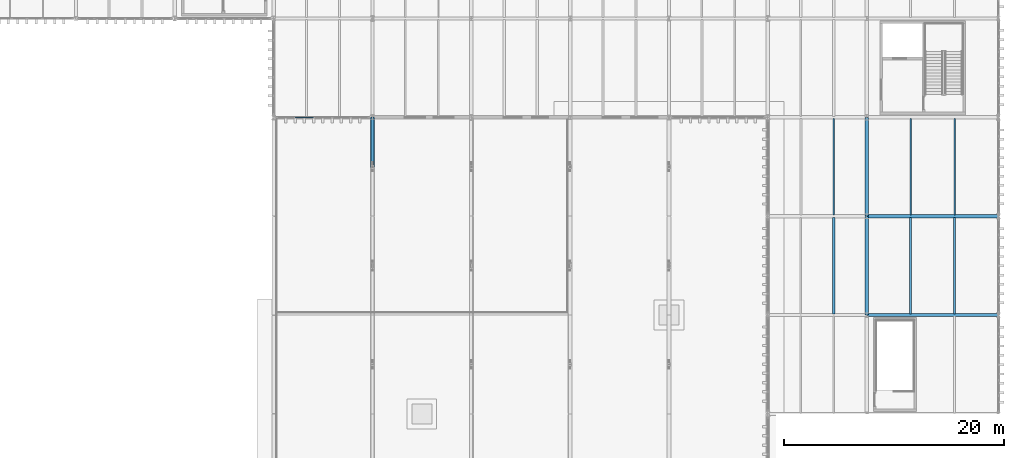
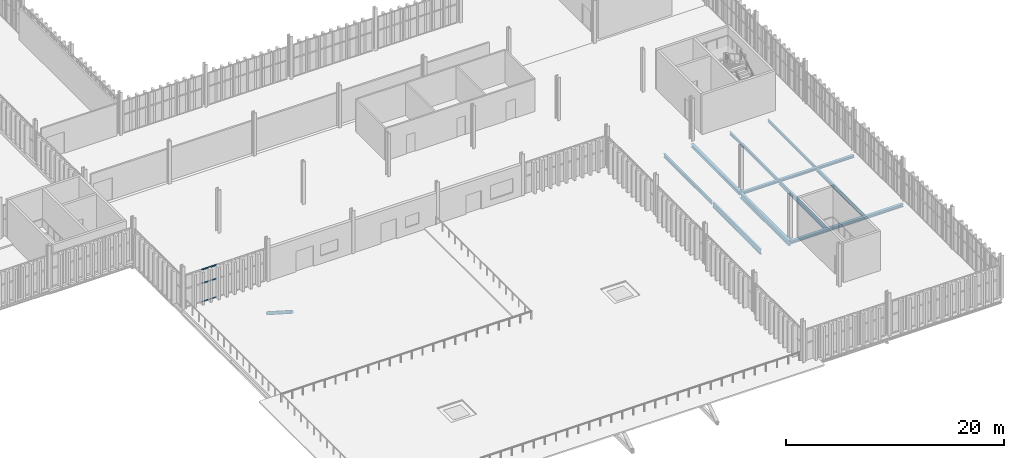
# One storey, part 112 of 196: 10 beams, 4 members, 1 element without a shape of its own.
"""IFC4 building model written with IfcOpenShell, lengths in metres."""

from ifc_helpers import new_model, si_unit, direction, frame, origin, origin_2d, place, context, subcontext, project, spatial, hollow_rectangle, hollow_circle, i_section, extrude, material, layer, layer_set, material_profile, profile_set, type_object, element, aggregate, save


model = new_model("IFC4")

# Units and contexts
model_context = context("Model", 3, precision=1e-05, world=origin(), true_north=direction((0.0, 1.0)))
body_context = subcontext(model_context, "Body", "Model", "MODEL_VIEW")
ifc_project = project(units=[si_unit("LENGTHUNIT", "METRE"), si_unit("AREAUNIT", "SQUARE_METRE"), si_unit("VOLUMEUNIT", "CUBIC_METRE"), si_unit("PLANEANGLEUNIT", "RADIAN"), si_unit("MASSUNIT", "GRAM", prefix="KILO")], contexts=[model_context])

# Site, building, storey
site_placement = place(None, origin())
site = spatial("IfcSite", under=ifc_project, at=site_placement, CompositionType="ELEMENT")
building_placement = place(site_placement, origin())
building = spatial("IfcBuilding", under=site, at=building_placement, Name="Barlavento Convention Centre", CompositionType="ELEMENT")
storey_placement = place(building_placement, frame((0.0, 0.0, 18.0)))
storey = spatial("IfcBuildingStorey", under=building, at=storey_placement, Name="L03", CompositionType="ELEMENT", Elevation=18.0)

# Curtain wall, members
ifc_material_1 = material(Name="Powder-coated aluminium and Low-E glass", Category="aluminium")
ifc_layer = layer(ifc_material_1, 0.179931640625)
ifc_layer_set = layer_set([ifc_layer], Name="ARC-CW-CONF-L03")
curtain_wall_type = type_object("IfcCurtainWallType", Name="ARC-CW-CONF-L03", PredefinedType="NOTDEFINED", material=ifc_layer_set)
curtain_wall_placement = place(storey_placement, origin())
curtain_wall = element("IfcCurtainWall", 1, at=curtain_wall_placement, inside=storey, type_object=curtain_wall_type, Name="L03 unitised curtain wall CW08", PredefinedType="NOTDEFINED")
ifc_material_2 = material(Name="Powder-coated aluminium", Category="aluminium")
ifc_material_profile_1 = material_profile(ifc_material_2, hollow_rectangle(XDim=0.06005859375, YDim=0.139892578125, WallThickness=0.00390625, at=origin_2d()), Name="AL-TRAN 60x140x4")
ifc_profile_set_1 = profile_set([ifc_material_profile_1], Name="Powder-coated aluminium")
member_type_1 = type_object("IfcMemberType", Name="ARC-CWT-60X140", PredefinedType="USERDEFINED", material=ifc_profile_set_1)
member_1_placement = place(storey_placement, frame((127.987060546875, 36.0, 0.030029296875), z_axis=(1.0, 0.0, 0.0), x_axis=(0.0, 1.0, 0.0)))
member_1 = element("IfcMember", 2, at=member_1_placement, type_object=member_type_1, Name="CW08 transom 2.1", ObjectType="TRANSOM", PredefinedType="USERDEFINED", context=body_context, shape_type="SweptSolid", body=[
    extrude(hollow_rectangle(XDim=0.06005859375, YDim=0.139892578125, WallThickness=0.00390625, at=origin_2d()), origin(), (0.0, 0.0, 1.0), 1.626953125),
])
member_2_placement = place(storey_placement, frame((127.987060546875, 36.0, 2.10009765625), z_axis=(1.0, 0.0, 0.0), x_axis=(0.0, 1.0, 0.0)))
member_2 = element("IfcMember", 3, at=member_2_placement, type_object=member_type_1, Name="CW08 transom 2.2", ObjectType="TRANSOM", PredefinedType="USERDEFINED", context=body_context, shape_type="SweptSolid", body=[
    extrude(hollow_rectangle(XDim=0.06005859375, YDim=0.139892578125, WallThickness=0.00390625, at=origin_2d()), origin(), (0.0, 0.0, 1.0), 1.626953125),
])
member_3_placement = place(storey_placement, frame((127.987060546875, 36.0, 3.6201171875), z_axis=(1.0, 0.0, 0.0), x_axis=(0.0, 1.0, 0.0)))
member_3 = element("IfcMember", 4, at=member_3_placement, type_object=member_type_1, Name="CW08 transom 2.3", ObjectType="TRANSOM", PredefinedType="USERDEFINED", context=body_context, shape_type="SweptSolid", body=[
    extrude(hollow_rectangle(XDim=0.06005859375, YDim=0.139892578125, WallThickness=0.00390625, at=origin_2d()), origin(), (0.0, 0.0, 1.0), 1.626953125),
])
aggregate(curtain_wall, [member_1, member_2, member_3])

# Beams
ifc_material_3 = material(Name="Steel S355", Category="steel")
ifc_material_profile_2 = material_profile(ifc_material_3, i_section(OverallWidth=0.14990234375, OverallDepth=0.300048828125, WebThickness=0.007080078125, FlangeThickness=0.0107421875, FilletRadius=0.014892578125, at=origin_2d()), Name="IPE 300")
ifc_profile_set_2 = profile_set([ifc_material_profile_2], Name="Steel S355")
beam_type_1 = type_object("IfcBeamType", Name="STR-BM-JST-IPE300", PredefinedType="JOIST", material=ifc_profile_set_2)
beam_1_placement = place(storey_placement, frame((188.0, 27.094970703125, -0.5400390625), z_axis=(0.0, 1.0, 0.0), x_axis=(-1.0, 0.0, 0.0)))
element("IfcBeam", 5, at=beam_1_placement, inside=storey, type_object=beam_type_1, Name="L03 composite floor joist SJ07", PredefinedType="JOIST", context=body_context, shape_type="SweptSolid", body=[
    extrude(i_section(OverallWidth=0.14990234375, OverallDepth=0.300048828125, WebThickness=0.007080078125, FlangeThickness=0.0107421875, FilletRadius=0.014892578125, at=origin_2d()), origin(), (0.0, 0.0, 1.0), 8.81005859375),
])
ifc_material_profile_3 = material_profile(ifc_material_3, i_section(OverallWidth=0.159912109375, OverallDepth=0.330078125, WebThickness=0.007568359375, FlangeThickness=0.011474609375, FilletRadius=0.01806640625, at=origin_2d()), Name="IPE 330")
ifc_profile_set_3 = profile_set([ifc_material_profile_3], Name="Steel S355")
beam_type_2 = type_object("IfcBeamType", Name="STR-BM-JST-IPE330", PredefinedType="JOIST", material=ifc_profile_set_3)
beam_2_placement = place(storey_placement, frame((184.0, 27.094970703125, -0.554931640625), z_axis=(0.0, 1.0, 0.0), x_axis=(-1.0, 0.0, 0.0)))
element("IfcBeam", 6, at=beam_2_placement, inside=storey, type_object=beam_type_2, Name="L03 composite floor joist SJ06", PredefinedType="JOIST", context=body_context, shape_type="SweptSolid", body=[
    extrude(i_section(OverallWidth=0.159912109375, OverallDepth=0.330078125, WebThickness=0.007568359375, FlangeThickness=0.011474609375, FilletRadius=0.01806640625, at=origin_2d()), origin(), (0.0, 0.0, 1.0), 8.81005859375),
])
ifc_material_profile_4 = material_profile(ifc_material_3, i_section(OverallWidth=0.179931640625, OverallDepth=0.39990234375, WebThickness=0.008544921875, FlangeThickness=0.013427734375, FilletRadius=0.02099609375, at=origin_2d()), Name="IPE 400")
ifc_profile_set_4 = profile_set([ifc_material_profile_4], Name="Steel S355")
beam_type_3 = type_object("IfcBeamType", Name="STR-BM-JST-IPE400", PredefinedType="JOIST", material=ifc_profile_set_4)
for number, where, z_axis, x_axis, name in (
    (7, (188.0, 18.094970703125, -0.590087890625), (0.0, 1.0, 0.0), (-1.0, 0.0, 0.0), "L03 composite floor joist SJ04"),
    (8, (177.0, 27.094970703125, -0.590087890625), (0.0, 1.0, 0.0), (-1.0, 0.0, 0.0), "L03 composite floor joist SJ04"),
):
    element("IfcBeam", number, at=place(storey_placement, frame(where, z_axis=z_axis, x_axis=x_axis)), inside=storey, type_object=beam_type_3, Name=name, PredefinedType="JOIST", context=body_context, shape_type="SweptSolid", body=[
        extrude(i_section(OverallWidth=0.179931640625, OverallDepth=0.39990234375, WebThickness=0.008544921875, FlangeThickness=0.013427734375, FilletRadius=0.02099609375, at=origin_2d()), origin(), (0.0, 0.0, 1.0), 8.81005859375),
    ])
ifc_material_profile_5 = material_profile(ifc_material_3, i_section(OverallWidth=0.18994140625, OverallDepth=0.449951171875, WebThickness=0.009521484375, FlangeThickness=0.0146484375, FilletRadius=0.02099609375, at=origin_2d()), Name="IPE 450")
ifc_profile_set_5 = profile_set([ifc_material_profile_5], Name="Steel S355")
beam_type_4 = type_object("IfcBeamType", Name="STR-BM-JST-IPE450", PredefinedType="JOIST", material=ifc_profile_set_5)
beam_3_placement = place(storey_placement, frame((184.0, 18.094970703125, -0.614990234375), z_axis=(0.0, 1.0, 0.0), x_axis=(-1.0, 0.0, 0.0)))
element("IfcBeam", 9, at=beam_3_placement, inside=storey, type_object=beam_type_4, Name="L03 composite floor joist SJ03", PredefinedType="JOIST", context=body_context, shape_type="SweptSolid", body=[
    extrude(i_section(OverallWidth=0.18994140625, OverallDepth=0.449951171875, WebThickness=0.009521484375, FlangeThickness=0.0146484375, FilletRadius=0.02099609375, at=origin_2d()), origin(), (0.0, 0.0, 1.0), 8.81005859375),
])
ifc_material_profile_6 = material_profile(ifc_material_3, i_section(OverallWidth=0.2099609375, OverallDepth=0.550048828125, WebThickness=0.010986328125, FlangeThickness=0.01708984375, FilletRadius=0.02392578125, at=origin_2d()), Name="IPE 550")
ifc_profile_set_6 = profile_set([ifc_material_profile_6], Name="Steel S355")
beam_type_5 = type_object("IfcBeamType", Name="STR-BM-JST-IPE550", PredefinedType="JOIST", material=ifc_profile_set_6)
beam_4_placement = place(storey_placement, frame((177.0, 18.094970703125, -0.6650390625), z_axis=(0.0, 1.0, 0.0), x_axis=(-1.0, 0.0, 0.0)))
element("IfcBeam", 10, at=beam_4_placement, inside=storey, type_object=beam_type_5, Name="L03 composite floor joist SJ01", PredefinedType="JOIST", context=body_context, shape_type="SweptSolid", body=[
    extrude(i_section(OverallWidth=0.2099609375, OverallDepth=0.550048828125, WebThickness=0.010986328125, FlangeThickness=0.01708984375, FilletRadius=0.02392578125, at=origin_2d()), origin(), (0.0, 0.0, 1.0), 8.81005859375),
])
ifc_material_profile_7 = material_profile(ifc_material_3, i_section(OverallWidth=0.300048828125, OverallDepth=0.35009765625, WebThickness=0.010009765625, FlangeThickness=0.017578125, FilletRadius=0.027099609375, at=origin_2d()), Name="HEA 360")
ifc_profile_set_7 = profile_set([ifc_material_profile_7], Name="Steel S355")
beam_type_6 = type_object("IfcBeamType", Name="STR-BM-PRI-HEA360", PredefinedType="BEAM", material=ifc_profile_set_7)
beam_5_placement = place(storey_placement, frame((180.0, 27.02001953125, -0.56494140625), z_axis=(0.0, 1.0, 0.0), x_axis=(-1.0, 0.0, 0.0)))
element("IfcBeam", 11, at=beam_5_placement, inside=storey, type_object=beam_type_6, Name="L03 grid girder BG23", PredefinedType="BEAM", context=body_context, shape_type="SweptSolid", body=[
    extrude(i_section(OverallWidth=0.300048828125, OverallDepth=0.35009765625, WebThickness=0.010009765625, FlangeThickness=0.017578125, FilletRadius=0.027099609375, at=origin_2d()), origin(), (0.0, 0.0, 1.0), 8.9599609375),
])
ifc_material_profile_8 = material_profile(ifc_material_3, i_section(OverallWidth=0.300048828125, OverallDepth=0.590087890625, WebThickness=0.012939453125, FlangeThickness=0.02490234375, FilletRadius=0.027099609375, at=origin_2d()), Name="HEA 600")
ifc_profile_set_8 = profile_set([ifc_material_profile_8], Name="Steel S355")
beam_type_7 = type_object("IfcBeamType", Name="STR-BM-PRI-HEA600", PredefinedType="BEAM", material=ifc_profile_set_8)
beam_6_placement = place(storey_placement, frame((180.0, 18.02001953125, -0.68505859375), z_axis=(0.0, 1.0, 0.0), x_axis=(-1.0, 0.0, 0.0)))
element("IfcBeam", 12, at=beam_6_placement, inside=storey, type_object=beam_type_7, Name="L03 grid girder BG18", PredefinedType="BEAM", context=body_context, shape_type="SweptSolid", body=[
    extrude(i_section(OverallWidth=0.300048828125, OverallDepth=0.590087890625, WebThickness=0.012939453125, FlangeThickness=0.02490234375, FilletRadius=0.027099609375, at=origin_2d()), origin(), (0.0, 0.0, 1.0), 8.9599609375),
])
ifc_material_profile_9 = material_profile(ifc_material_3, i_section(OverallWidth=0.280029296875, OverallDepth=0.280029296875, WebThickness=0.010498046875, FlangeThickness=0.01806640625, FilletRadius=0.02392578125, at=origin_2d()), Name="HEB 280")
ifc_profile_set_9 = profile_set([ifc_material_profile_9], Name="Steel S355")
beam_type_8 = type_object("IfcBeamType", Name="STR-BM-PRI-HEB280", PredefinedType="BEAM", material=ifc_profile_set_9)
beam_7_placement = place(storey_placement, frame((180.02001953125, 27.0, -0.530029296875), z_axis=(1.0, 0.0, 0.0), x_axis=(0.0, 1.0, 0.0)))
element("IfcBeam", 13, at=beam_7_placement, inside=storey, type_object=beam_type_8, Name="L03 primary girder BG15", PredefinedType="BEAM", context=body_context, shape_type="SweptSolid", body=[
    extrude(i_section(OverallWidth=0.280029296875, OverallDepth=0.280029296875, WebThickness=0.010498046875, FlangeThickness=0.01806640625, FilletRadius=0.02392578125, at=origin_2d()), origin(), (0.0, 0.0, 1.0), 11.9599609375),
])
ifc_material_profile_10 = material_profile(ifc_material_3, i_section(OverallWidth=0.300048828125, OverallDepth=0.320068359375, WebThickness=0.011474609375, FlangeThickness=0.0205078125, FilletRadius=0.027099609375, at=origin_2d()), Name="HEB 320")
ifc_profile_set_10 = profile_set([ifc_material_profile_10], Name="Steel S355")
beam_type_9 = type_object("IfcBeamType", Name="STR-BM-PRI-HEB320", PredefinedType="BEAM", material=ifc_profile_set_10)
beam_8_placement = place(storey_placement, frame((180.02001953125, 18.0, -0.550048828125), z_axis=(1.0, 0.0, 0.0), x_axis=(0.0, 1.0, 0.0)))
element("IfcBeam", 14, at=beam_8_placement, inside=storey, type_object=beam_type_9, Name="L03 primary girder BG13", PredefinedType="BEAM", context=body_context, shape_type="SweptSolid", body=[
    extrude(i_section(OverallWidth=0.300048828125, OverallDepth=0.320068359375, WebThickness=0.011474609375, FlangeThickness=0.0205078125, FilletRadius=0.027099609375, at=origin_2d()), origin(), (0.0, 0.0, 1.0), 11.9599609375),
])

# Member
ifc_material_profile_11 = material_profile(ifc_material_3, hollow_circle(Radius=0.177734375, WallThickness=0.01611328125, at=origin_2d()), Name="CHS 355.6x16.0")
ifc_profile_set_11 = profile_set([ifc_material_profile_11], Name="Steel S355")
member_type_2 = type_object("IfcMemberType", Name="STR-MEM-CHD-CHS355", PredefinedType="CHORD", material=ifc_profile_set_11)
member_4_placement = place(storey_placement, frame((135.0, 31.5, -0.797119140625), z_axis=(0.0, 0.841857615744, -0.53969968947), x_axis=(-1.0, 0.0, 0.0)))
element("IfcMember", 15, at=member_4_placement, inside=storey, type_object=member_type_2, Name="Ballroom transfer truss diagonal TC01", PredefinedType="CHORD", context=body_context, shape_type="SweptSolid", body=[
    extrude(hollow_circle(Radius=0.177734375, WallThickness=0.01611328125, at=origin_2d()), origin(), (0.0, 0.0, 1.0), 5.285888671875),
])

save(model, "model.ifc")
